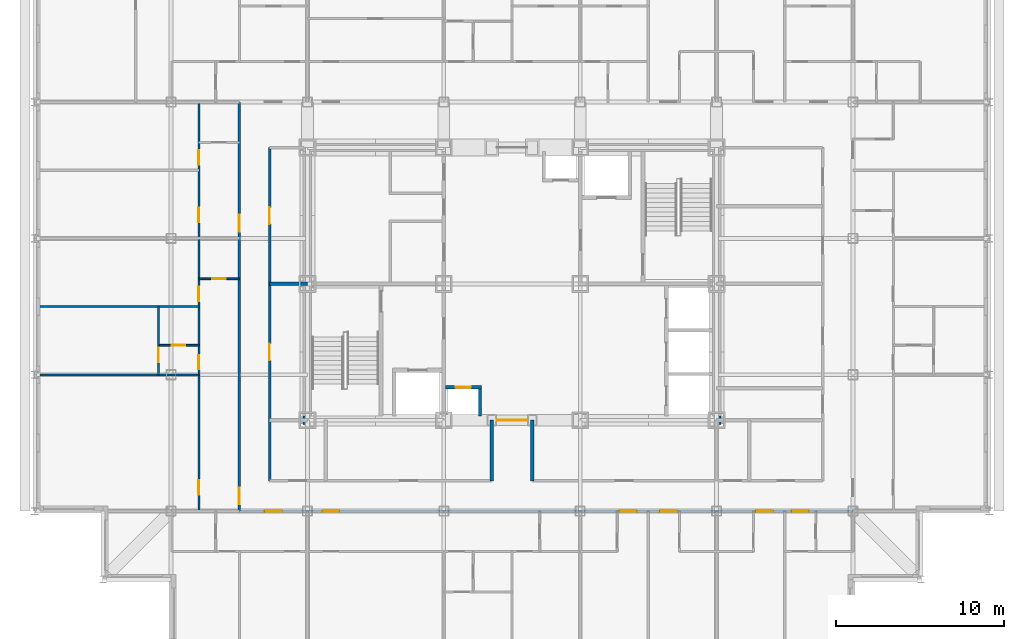
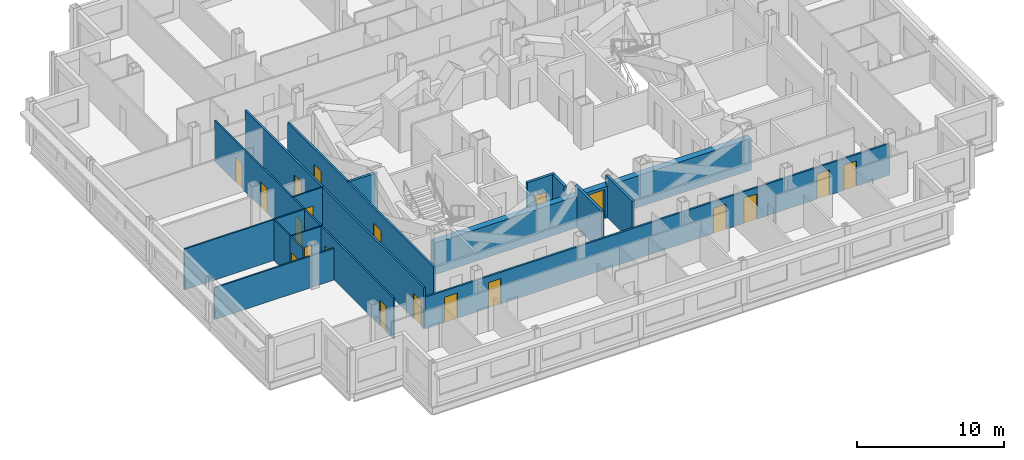
# One storey, part 5 of 12: 20 doors, 16 walls, 20 openings.
"""IFC4 building model written with IfcOpenShell, lengths in metres."""

from ifc_helpers import new_model, si_unit, direction, frame, frame_2d, origin, place, context, subcontext, project, spatial, rectangle, extrude, material, layer, layer_set, type_object, element, fill, save


model = new_model("IFC4")

# Units and contexts
model_context = context("Model", 3, precision=1e-05, world=origin(), true_north=direction((0.0, 1.0)))
body_context = subcontext(model_context, "Body", "Model", "MODEL_VIEW")
ifc_project = project(units=[si_unit("LENGTHUNIT", "METRE"), si_unit("AREAUNIT", "SQUARE_METRE"), si_unit("VOLUMEUNIT", "CUBIC_METRE"), si_unit("PLANEANGLEUNIT", "RADIAN"), si_unit("MASSUNIT", "GRAM", prefix="KILO")], contexts=[model_context])

# Site, building, storey
site_placement = place(None, origin())
site = spatial("IfcSite", under=ifc_project, at=site_placement, CompositionType="ELEMENT")
building_placement = place(site_placement, origin())
building = spatial("IfcBuilding", under=site, at=building_placement, Name="Kopane Lantern Tower", CompositionType="ELEMENT")
storey_placement = place(building_placement, frame((0.0, 0.0, 220.800048828125)))
storey = spatial("IfcBuildingStorey", under=building, at=storey_placement, Name="L57", CompositionType="ELEMENT", Elevation=220.800048828125)

# Wall, openings, doors
ifc_material_1 = material(Name="Gypsum board on steel studs", Category="steel")
ifc_layer_1 = layer(ifc_material_1, 0.1201171875)
ifc_layer_set_1 = layer_set([ifc_layer_1], Name="APARTMENT INTERNAL WALL 120")
wall_type_1 = type_object("IfcWallType", Name="APARTMENT INTERNAL WALL 120", PredefinedType="PARTITIONING", material=ifc_layer_set_1)
wall_1_placement = place(storey_placement, frame((9.75, 18.89990234375, 0.0), z_axis=(0.0, 0.0, 1.0), x_axis=(0.0, 1.0, 0.0)))
wall_1 = element("IfcWall", 1, at=wall_1_placement, inside=storey, type_object=wall_type_1, Name="Apartment Internal Wall 120 L57", PredefinedType="PARTITIONING", context=body_context, shape_type="SweptSolid", body=[
    extrude(rectangle(XDim=24.300048828125, YDim=0.1201171875, at=frame_2d((12.14990234375, 0.0))), origin(), (0.0, 0.0, 1.0), 3.389892578125),
])
opening_1_placement = place(wall_1_placement, frame((0.97509765625, 0.0, 0.0)))
opening_1 = element("IfcOpeningElement", 2, at=opening_1_placement, cuts=wall_1, Name="Opening L57-037", PredefinedType="OPENING", context=body_context, shape_type="SweptSolid", body=[
    extrude(rectangle(XDim=0.85009765625, YDim=2.10009765625, at=frame_2d((0.425048828125, 1.050048828125))), frame((0.0, 0.070068359375, 0.0), z_axis=(0.0, -1.0, 0.0), x_axis=(1.0, 0.0, 0.0)), (0.0, 0.0, 1.0), 0.14013671875),
])
opening_2_placement = place(wall_1_placement, frame((8.425048828125, 0.0, 0.0)))
opening_2 = element("IfcOpeningElement", 3, at=opening_2_placement, cuts=wall_1, Name="Opening L57-039", PredefinedType="OPENING", context=body_context, shape_type="SweptSolid", body=[
    extrude(rectangle(XDim=0.85009765625, YDim=2.10009765625, at=frame_2d((0.425048828125, 1.050048828125))), frame((0.0, 0.070068359375, 0.0), z_axis=(0.0, -1.0, 0.0), x_axis=(1.0, 0.0, 0.0)), (0.0, 0.0, 1.0), 0.14013671875),
])
opening_3_placement = place(wall_1_placement, frame((12.47509765625, 0.0, 0.0)))
opening_3 = element("IfcOpeningElement", 4, at=opening_3_placement, cuts=wall_1, Name="Opening L57-040", PredefinedType="OPENING", context=body_context, shape_type="SweptSolid", body=[
    extrude(rectangle(XDim=0.85009765625, YDim=2.10009765625, at=frame_2d((0.425048828125, 1.050048828125))), frame((0.0, 0.070068359375, 0.0), z_axis=(0.0, -1.0, 0.0), x_axis=(1.0, 0.0, 0.0)), (0.0, 0.0, 1.0), 0.14013671875),
])
opening_4_placement = place(wall_1_placement, frame((17.175048828125, 0.0, 0.0)))
opening_4 = element("IfcOpeningElement", 5, at=opening_4_placement, cuts=wall_1, Name="Opening L57-043", PredefinedType="OPENING", context=body_context, shape_type="SweptSolid", body=[
    extrude(rectangle(XDim=0.85009765625, YDim=2.10009765625, at=frame_2d((0.425048828125, 1.050048828125))), frame((0.0, 0.070068359375, 0.0), z_axis=(0.0, -1.0, 0.0), x_axis=(1.0, 0.0, 0.0)), (0.0, 0.0, 1.0), 0.14013671875),
])
opening_5_placement = place(wall_1_placement, frame((20.574951171875, 0.0, 0.0)))
opening_5 = element("IfcOpeningElement", 6, at=opening_5_placement, cuts=wall_1, Name="Opening L57-044", PredefinedType="OPENING", context=body_context, shape_type="SweptSolid", body=[
    extrude(rectangle(XDim=0.85009765625, YDim=2.10009765625, at=frame_2d((0.425048828125, 1.050048828125))), frame((0.0, 0.070068359375, 0.0), z_axis=(0.0, -1.0, 0.0), x_axis=(1.0, 0.0, 0.0)), (0.0, 0.0, 1.0), 0.14013671875),
])
ifc_material_2 = material(Name="Timber door set", Category="wood")
door_type_1 = type_object("IfcDoorType", Name="DOOR D4 850x2100", OperationType="SINGLE_SWING_LEFT", PredefinedType="DOOR", material=ifc_material_2)
door_1_placement = place(opening_1_placement, origin())
door_1 = element("IfcDoor", 7, at=door_1_placement, inside=storey, type_object=door_type_1, Name="Door L57-037", OperationType="SINGLE_SWING_RIGHT", OverallHeight=2.10009765625, OverallWidth=0.85009765625, PredefinedType="DOOR", context=body_context, shape_type="SweptSolid", body=[
    extrude(rectangle(XDim=0.85009765625, YDim=2.10009765625, at=frame_2d((0.425048828125, 1.050048828125))), frame((0.0, 0.02490234375, 0.0), z_axis=(0.0, -1.0, 0.0), x_axis=(1.0, 0.0, 0.0)), (0.0, 0.0, 1.0), 0.050048828125),
])
fill(opening_1, door_1)
door_2_placement = place(opening_2_placement, origin())
door_2 = element("IfcDoor", 8, at=door_2_placement, inside=storey, type_object=door_type_1, Name="Door L57-039", OperationType="SINGLE_SWING_LEFT", OverallHeight=2.10009765625, OverallWidth=0.85009765625, PredefinedType="DOOR", context=body_context, shape_type="SweptSolid", body=[
    extrude(rectangle(XDim=0.85009765625, YDim=2.10009765625, at=frame_2d((0.425048828125, 1.050048828125))), frame((0.0, 0.02490234375, 0.0), z_axis=(0.0, -1.0, 0.0), x_axis=(1.0, 0.0, 0.0)), (0.0, 0.0, 1.0), 0.050048828125),
])
fill(opening_2, door_2)
door_3_placement = place(opening_3_placement, origin())
door_3 = element("IfcDoor", 9, at=door_3_placement, inside=storey, type_object=door_type_1, Name="Door L57-040", OperationType="SINGLE_SWING_LEFT", OverallHeight=2.10009765625, OverallWidth=0.85009765625, PredefinedType="DOOR", context=body_context, shape_type="SweptSolid", body=[
    extrude(rectangle(XDim=0.85009765625, YDim=2.10009765625, at=frame_2d((0.425048828125, 1.050048828125))), frame((0.0, 0.02490234375, 0.0), z_axis=(0.0, -1.0, 0.0), x_axis=(1.0, 0.0, 0.0)), (0.0, 0.0, 1.0), 0.050048828125),
])
fill(opening_3, door_3)
door_4_placement = place(opening_4_placement, origin())
door_4 = element("IfcDoor", 10, at=door_4_placement, inside=storey, type_object=door_type_1, Name="Door L57-043", OperationType="SINGLE_SWING_RIGHT", OverallHeight=2.10009765625, OverallWidth=0.85009765625, PredefinedType="DOOR", context=body_context, shape_type="SweptSolid", body=[
    extrude(rectangle(XDim=0.85009765625, YDim=2.10009765625, at=frame_2d((0.425048828125, 1.050048828125))), frame((0.0, 0.02490234375, 0.0), z_axis=(0.0, -1.0, 0.0), x_axis=(1.0, 0.0, 0.0)), (0.0, 0.0, 1.0), 0.050048828125),
])
fill(opening_4, door_4)
door_5_placement = place(opening_5_placement, origin())
door_5 = element("IfcDoor", 11, at=door_5_placement, inside=storey, type_object=door_type_1, Name="Door L57-044", OperationType="SINGLE_SWING_LEFT", OverallHeight=2.10009765625, OverallWidth=0.85009765625, PredefinedType="DOOR", context=body_context, shape_type="SweptSolid", body=[
    extrude(rectangle(XDim=0.85009765625, YDim=2.10009765625, at=frame_2d((0.425048828125, 1.050048828125))), frame((0.0, 0.02490234375, 0.0), z_axis=(0.0, -1.0, 0.0), x_axis=(1.0, 0.0, 0.0)), (0.0, 0.0, 1.0), 0.050048828125),
])
fill(opening_5, door_5)

# Walls
wall_2_placement = place(storey_placement, frame((9.75, 27.0, 0.0), z_axis=(0.0, 0.0, 1.0), x_axis=(-1.0, 0.0, 0.0)))
element("IfcWall", 12, at=wall_2_placement, inside=storey, type_object=wall_type_1, Name="Apartment Internal Wall 120 L57", PredefinedType="PARTITIONING", context=body_context, shape_type="SweptSolid", body=[
    extrude(rectangle(XDim=9.449951171875, YDim=0.1201171875, at=frame_2d((4.72509765625, 0.0))), origin(), (0.0, 0.0, 1.0), 2.627685546875),
])
wall_3_placement = place(storey_placement, frame((9.75, 31.050048828125, 0.0), z_axis=(0.0, 0.0, 1.0), x_axis=(-1.0, 0.0, 0.0)))
element("IfcWall", 13, at=wall_3_placement, inside=storey, type_object=wall_type_1, Name="Apartment Internal Wall 120 L57", PredefinedType="PARTITIONING", context=body_context, shape_type="SweptSolid", body=[
    extrude(rectangle(XDim=9.449951171875, YDim=0.1201171875, at=frame_2d((4.72509765625, 0.0))), origin(), (0.0, 0.0, 1.0), 3.389892578125),
])

# Wall, opening, door
wall_4_placement = place(storey_placement, frame((7.35009765625, 27.0, 0.0), z_axis=(0.0, 0.0, 1.0), x_axis=(0.0, 1.0, 0.0)))
wall_4 = element("IfcWall", 14, at=wall_4_placement, inside=storey, type_object=wall_type_1, Name="Apartment Internal Wall 120 L57", PredefinedType="PARTITIONING", context=body_context, shape_type="SweptSolid", body=[
    extrude(rectangle(XDim=1.760009765625, YDim=0.1201171875, at=frame_2d((0.8798828125, 0.0))), origin(), (0.0, 0.0, 1.0), 3.389892578125),
])
opening_6_placement = place(wall_4_placement, frame((0.75, 0.0, 0.0)))
opening_6 = element("IfcOpeningElement", 15, at=opening_6_placement, cuts=wall_4, Name="Opening L57-071", PredefinedType="OPENING", context=body_context, shape_type="SweptSolid", body=[
    extrude(rectangle(XDim=0.85009765625, YDim=2.10009765625, at=frame_2d((0.425048828125, 1.050048828125))), frame((0.0, 0.070068359375, 0.0), z_axis=(0.0, -1.0, 0.0), x_axis=(1.0, 0.0, 0.0)), (0.0, 0.0, 1.0), 0.14013671875),
])
door_6_placement = place(opening_6_placement, origin())
door_6 = element("IfcDoor", 16, at=door_6_placement, inside=storey, type_object=door_type_1, Name="Door L57-071", OperationType="SINGLE_SWING_LEFT", OverallHeight=2.10009765625, OverallWidth=0.85009765625, PredefinedType="DOOR", context=body_context, shape_type="SweptSolid", body=[
    extrude(rectangle(XDim=0.85009765625, YDim=2.10009765625, at=frame_2d((0.425048828125, 1.050048828125))), frame((0.0, 0.02490234375, 0.0), z_axis=(0.0, -1.0, 0.0), x_axis=(1.0, 0.0, 0.0)), (0.0, 0.0, 1.0), 0.050048828125),
])
fill(opening_6, door_6)

ifc_material_3 = material(Name="Moisture-resistant board on steel studs", Category="steel")
ifc_layer_2 = layer(ifc_material_3, 0.10009765625)
ifc_layer_set_2 = layer_set([ifc_layer_2], Name="BATHROOM WALL 100")
wall_type_2 = type_object("IfcWallType", Name="BATHROOM WALL 100", PredefinedType="PARTITIONING", material=ifc_layer_set_2)
wall_5_placement = place(storey_placement, frame((12.14990234375, 32.699951171875, 0.0), z_axis=(0.0, 0.0, 1.0), x_axis=(-1.0, 0.0, 0.0)))
wall_5 = element("IfcWall", 17, at=wall_5_placement, inside=storey, type_object=wall_type_2, Name="Bathroom Wall 100 L57", PredefinedType="PARTITIONING", context=body_context, shape_type="SweptSolid", body=[
    extrude(rectangle(XDim=2.39990234375, YDim=0.10009765625, at=frame_2d((1.199951171875, 0.0))), origin(), (0.0, 0.0, 1.0), 3.389892578125),
])
opening_7_placement = place(wall_5_placement, frame((0.800048828125, 0.0, 0.0)))
opening_7 = element("IfcOpeningElement", 18, at=opening_7_placement, cuts=wall_5, Name="Opening L57-035", PredefinedType="OPENING", context=body_context, shape_type="SweptSolid", body=[
    extrude(rectangle(XDim=0.800048828125, YDim=2.10009765625, at=frame_2d((0.39990234375, 1.050048828125))), frame((0.0, 0.06005859375, 0.0), z_axis=(0.0, -1.0, 0.0), x_axis=(1.0, 0.0, 0.0)), (0.0, 0.0, 1.0), 0.1201171875),
])
ifc_material_4 = material(Name="Timber door set", Category="wood")
door_type_2 = type_object("IfcDoorType", Name="DOOR D2 800x2100", OperationType="SINGLE_SWING_LEFT", PredefinedType="DOOR", material=ifc_material_4)
door_7_placement = place(opening_7_placement, origin())
door_7 = element("IfcDoor", 19, at=door_7_placement, inside=storey, type_object=door_type_2, Name="Door L57-035", OperationType="SINGLE_SWING_RIGHT", OverallHeight=2.10009765625, OverallWidth=0.800048828125, PredefinedType="DOOR", context=body_context, shape_type="SweptSolid", body=[
    extrude(rectangle(XDim=0.800048828125, YDim=2.10009765625, at=frame_2d((0.39990234375, 1.050048828125))), frame((0.0, 0.02490234375, 0.0), z_axis=(0.0, -1.0, 0.0), x_axis=(1.0, 0.0, 0.0)), (0.0, 0.0, 1.0), 0.050048828125),
])
fill(opening_7, door_7)

wall_6_placement = place(storey_placement, frame((9.75, 28.75, 0.0), z_axis=(0.0, 0.0, 1.0), x_axis=(-1.0, 0.0, 0.0)))
wall_6 = element("IfcWall", 20, at=wall_6_placement, inside=storey, type_object=wall_type_2, Name="Bathroom Wall 100 L57", PredefinedType="PARTITIONING", context=body_context, shape_type="SweptSolid", body=[
    extrude(rectangle(XDim=2.39990234375, YDim=0.10009765625, at=frame_2d((1.199951171875, 0.0))), origin(), (0.0, 0.0, 1.0), 3.389892578125),
])
opening_8_placement = place(wall_6_placement, frame((0.800048828125, 0.0, 0.0)))
opening_8 = element("IfcOpeningElement", 21, at=opening_8_placement, cuts=wall_6, Name="Opening L57-038", PredefinedType="OPENING", context=body_context, shape_type="SweptSolid", body=[
    extrude(rectangle(XDim=0.800048828125, YDim=2.10009765625, at=frame_2d((0.39990234375, 1.050048828125))), frame((0.0, 0.06005859375, 0.0), z_axis=(0.0, -1.0, 0.0), x_axis=(1.0, 0.0, 0.0)), (0.0, 0.0, 1.0), 0.1201171875),
])
door_8_placement = place(opening_8_placement, origin())
door_8 = element("IfcDoor", 22, at=door_8_placement, inside=storey, type_object=door_type_2, Name="Door L57-038", OperationType="SINGLE_SWING_RIGHT", OverallHeight=2.10009765625, OverallWidth=0.800048828125, PredefinedType="DOOR", context=body_context, shape_type="SweptSolid", body=[
    extrude(rectangle(XDim=0.800048828125, YDim=2.10009765625, at=frame_2d((0.39990234375, 1.050048828125))), frame((0.0, 0.02490234375, 0.0), z_axis=(0.0, -1.0, 0.0), x_axis=(1.0, 0.0, 0.0)), (0.0, 0.0, 1.0), 0.050048828125),
])
fill(opening_8, door_8)

# Wall
wall_7_placement = place(storey_placement, frame((7.35009765625, 28.75, 0.0), z_axis=(0.0, 0.0, 1.0), x_axis=(0.0, 1.0, 0.0)))
element("IfcWall", 23, at=wall_7_placement, inside=storey, type_object=wall_type_2, Name="Bathroom Wall 100 L57", PredefinedType="PARTITIONING", context=body_context, shape_type="SweptSolid", body=[
    extrude(rectangle(XDim=2.300048828125, YDim=0.10009765625, at=frame_2d((1.14990234375, 0.0))), origin(), (0.0, 0.0, 1.0), 3.389892578125),
])

# Wall, opening, door
ifc_material_5 = material(Name="Gypsum shaft wall EI 120", Category="gypsum")
ifc_layer_3 = layer(ifc_material_5, 0.5)
ifc_layer_set_3 = layer_set([ifc_layer_3], Name="CORE PERIMETER WALL 500 EI 120")
wall_type_3 = type_object("IfcWallType", Name="CORE PERIMETER WALL 500 EI 120", PredefinedType="SOLIDWALL", material=ifc_layer_set_3)
wall_8_placement = place(storey_placement, frame((15.949951171875, 24.300048828125, 0.0), z_axis=(0.0, 0.0, 1.0), x_axis=(1.0, 0.0, 0.0)))
wall_8 = element("IfcWall", 24, at=wall_8_placement, inside=storey, type_object=wall_type_3, Name="Core shaft wall L57 PS", PredefinedType="SOLIDWALL", context=body_context, shape_type="SweptSolid", body=[
    extrude(rectangle(XDim=24.800048828125, YDim=0.5, at=frame_2d((12.39990234375, 0.0))), origin(), (0.0, 0.0, 1.0), 2.627685546875),
])
opening_9_placement = place(wall_8_placement, frame((11.5, 0.0, 0.0)))
opening_9 = element("IfcOpeningElement", 25, at=opening_9_placement, cuts=wall_8, Name="Opening 57.CE-S", PredefinedType="OPENING", context=body_context, shape_type="SweptSolid", body=[
    extrude(rectangle(XDim=1.800048828125, YDim=2.39990234375, at=frame_2d((0.89990234375, 1.199951171875))), frame((0.0, 0.260009765625, 0.0), z_axis=(0.0, -1.0, 0.0), x_axis=(1.0, 0.0, 0.0)), (0.0, 0.0, 1.0), 0.52001953125),
])
ifc_material_6 = material(Name="Steel door set", Category="steel")
door_type_3 = type_object("IfcDoorType", Name="CORE ENTRY DOOR 1800x2400 FD60S", OperationType="DOUBLE_DOOR_SINGLE_SWING", PredefinedType="DOOR", material=ifc_material_6)
door_9_placement = place(opening_9_placement, origin())
door_9 = element("IfcDoor", 26, at=door_9_placement, inside=storey, type_object=door_type_3, Name="Core entry door L57 south", OperationType="DOUBLE_DOOR_SINGLE_SWING", OverallHeight=2.39990234375, OverallWidth=1.800048828125, PredefinedType="DOOR", context=body_context, shape_type="SweptSolid", body=[
    extrude(rectangle(XDim=1.800048828125, YDim=2.39990234375, at=frame_2d((0.89990234375, 1.199951171875))), frame((0.0, 0.02490234375, 0.0), z_axis=(0.0, -1.0, 0.0), x_axis=(1.0, 0.0, 0.0)), (0.0, 0.0, 1.0), 0.050048828125),
])
fill(opening_9, door_9)

# Wall, openings, doors
ifc_material_7 = material(Name="Gypsum board on steel studs", Category="steel")
ifc_layer_4 = layer(ifc_material_7, 0.14990234375)
ifc_layer_set_4 = layer_set([ifc_layer_4], Name="CORRIDOR WALL 150 EI 60")
wall_type_4 = type_object("IfcWallType", Name="CORRIDOR WALL 150 EI 60", PredefinedType="PARTITIONING", material=ifc_layer_set_4)
wall_9_placement = place(storey_placement, frame((12.14990234375, 18.89990234375, 0.0), z_axis=(0.0, 0.0, 1.0), x_axis=(1.0, 0.0, 0.0)))
wall_9 = element("IfcWall", 27, at=wall_9_placement, inside=storey, type_object=wall_type_4, Name="Corridor Wall 150 Ei 60 L57", PredefinedType="PARTITIONING", context=body_context, shape_type="SweptSolid", body=[
    extrude(rectangle(XDim=36.4501953125, YDim=0.14990234375, at=frame_2d((18.22509765625, 0.0))), origin(), (0.0, 0.0, 1.0), 2.627685546875),
])
opening_10_placement = place(wall_9_placement, frame((4.949951171875, 0.0, 0.0)))
opening_10 = element("IfcOpeningElement", 28, at=opening_10_placement, cuts=wall_9, Name="Opening L57-013", PredefinedType="OPENING", context=body_context, shape_type="SweptSolid", body=[
    extrude(rectangle(XDim=1.0, YDim=2.10009765625, at=frame_2d((0.5, 1.050048828125))), frame((0.0, 0.0849609375, 0.0), z_axis=(0.0, -1.0, 0.0), x_axis=(1.0, 0.0, 0.0)), (0.0, 0.0, 1.0), 0.169921875),
])
opening_11_placement = place(wall_9_placement, frame((22.60009765625, 0.0, 0.0)))
opening_11 = element("IfcOpeningElement", 29, at=opening_11_placement, cuts=wall_9, Name="Opening L57-019", PredefinedType="OPENING", context=body_context, shape_type="SweptSolid", body=[
    extrude(rectangle(XDim=1.0, YDim=2.10009765625, at=frame_2d((0.5, 1.050048828125))), frame((0.0, 0.0849609375, 0.0), z_axis=(0.0, -1.0, 0.0), x_axis=(1.0, 0.0, 0.0)), (0.0, 0.0, 1.0), 0.169921875),
])
opening_12_placement = place(wall_9_placement, frame((25.0, 0.0, 0.0)))
opening_12 = element("IfcOpeningElement", 30, at=opening_12_placement, cuts=wall_9, Name="Opening L57-021", PredefinedType="OPENING", context=body_context, shape_type="SweptSolid", body=[
    extrude(rectangle(XDim=1.0, YDim=2.10009765625, at=frame_2d((0.5, 1.050048828125))), frame((0.0, 0.0849609375, 0.0), z_axis=(0.0, -1.0, 0.0), x_axis=(1.0, 0.0, 0.0)), (0.0, 0.0, 1.0), 0.169921875),
])
opening_13_placement = place(wall_9_placement, frame((30.699951171875, 0.0, 0.0)))
opening_13 = element("IfcOpeningElement", 31, at=opening_13_placement, cuts=wall_9, Name="Opening L57-023", PredefinedType="OPENING", context=body_context, shape_type="SweptSolid", body=[
    extrude(rectangle(XDim=1.0, YDim=2.10009765625, at=frame_2d((0.5, 1.050048828125))), frame((0.0, 0.0849609375, 0.0), z_axis=(0.0, -1.0, 0.0), x_axis=(1.0, 0.0, 0.0)), (0.0, 0.0, 1.0), 0.169921875),
])
opening_14_placement = place(wall_9_placement, frame((1.52490234375, 0.0, 0.0)))
opening_14 = element("IfcOpeningElement", 32, at=opening_14_placement, cuts=wall_9, Name="Opening L57-054", PredefinedType="OPENING", context=body_context, shape_type="SweptSolid", body=[
    extrude(rectangle(XDim=1.0, YDim=2.10009765625, at=frame_2d((0.5, 1.050048828125))), frame((0.0, 0.0849609375, 0.0), z_axis=(0.0, -1.0, 0.0), x_axis=(1.0, 0.0, 0.0)), (0.0, 0.0, 1.0), 0.169921875),
])
opening_15_placement = place(wall_9_placement, frame((32.824951171875, 0.0, 0.0)))
opening_15 = element("IfcOpeningElement", 33, at=opening_15_placement, cuts=wall_9, Name="Opening L57-059", PredefinedType="OPENING", context=body_context, shape_type="SweptSolid", body=[
    extrude(rectangle(XDim=1.0, YDim=2.10009765625, at=frame_2d((0.5, 1.050048828125))), frame((0.0, 0.0849609375, 0.0), z_axis=(0.0, -1.0, 0.0), x_axis=(1.0, 0.0, 0.0)), (0.0, 0.0, 1.0), 0.169921875),
])
ifc_material_8 = material(Name="Steel door set", Category="steel")
door_type_4 = type_object("IfcDoorType", Name="DOOR D3 1000x2100 FD30S", OperationType="SINGLE_SWING_LEFT", PredefinedType="DOOR", material=ifc_material_8)
door_10_placement = place(opening_10_placement, origin())
door_10 = element("IfcDoor", 34, at=door_10_placement, inside=storey, type_object=door_type_4, Name="Door L57-013", OperationType="SINGLE_SWING_RIGHT", OverallHeight=2.10009765625, OverallWidth=1.0, PredefinedType="DOOR", context=body_context, shape_type="SweptSolid", body=[
    extrude(rectangle(XDim=1.0, YDim=2.10009765625, at=frame_2d((0.5, 1.050048828125))), frame((0.0, 0.02490234375, 0.0), z_axis=(0.0, -1.0, 0.0), x_axis=(1.0, 0.0, 0.0)), (0.0, 0.0, 1.0), 0.050048828125),
])
fill(opening_10, door_10)
door_11_placement = place(opening_11_placement, origin())
door_11 = element("IfcDoor", 35, at=door_11_placement, inside=storey, type_object=door_type_4, Name="Door L57-019", OperationType="SINGLE_SWING_RIGHT", OverallHeight=2.10009765625, OverallWidth=1.0, PredefinedType="DOOR", context=body_context, shape_type="SweptSolid", body=[
    extrude(rectangle(XDim=1.0, YDim=2.10009765625, at=frame_2d((0.5, 1.050048828125))), frame((0.0, 0.02490234375, 0.0), z_axis=(0.0, -1.0, 0.0), x_axis=(1.0, 0.0, 0.0)), (0.0, 0.0, 1.0), 0.050048828125),
])
fill(opening_11, door_11)
door_12_placement = place(opening_12_placement, origin())
door_12 = element("IfcDoor", 36, at=door_12_placement, inside=storey, type_object=door_type_4, Name="Door L57-021", OperationType="SINGLE_SWING_LEFT", OverallHeight=2.10009765625, OverallWidth=1.0, PredefinedType="DOOR", context=body_context, shape_type="SweptSolid", body=[
    extrude(rectangle(XDim=1.0, YDim=2.10009765625, at=frame_2d((0.5, 1.050048828125))), frame((0.0, 0.02490234375, 0.0), z_axis=(0.0, -1.0, 0.0), x_axis=(1.0, 0.0, 0.0)), (0.0, 0.0, 1.0), 0.050048828125),
])
fill(opening_12, door_12)
door_13_placement = place(opening_13_placement, origin())
door_13 = element("IfcDoor", 37, at=door_13_placement, inside=storey, type_object=door_type_4, Name="Door L57-023", OperationType="SINGLE_SWING_RIGHT", OverallHeight=2.10009765625, OverallWidth=1.0, PredefinedType="DOOR", context=body_context, shape_type="SweptSolid", body=[
    extrude(rectangle(XDim=1.0, YDim=2.10009765625, at=frame_2d((0.5, 1.050048828125))), frame((0.0, 0.02490234375, 0.0), z_axis=(0.0, -1.0, 0.0), x_axis=(1.0, 0.0, 0.0)), (0.0, 0.0, 1.0), 0.050048828125),
])
fill(opening_13, door_13)
door_14_placement = place(opening_14_placement, origin())
door_14 = element("IfcDoor", 38, at=door_14_placement, inside=storey, type_object=door_type_4, Name="Door L57-054", OperationType="SINGLE_SWING_LEFT", OverallHeight=2.10009765625, OverallWidth=1.0, PredefinedType="DOOR", context=body_context, shape_type="SweptSolid", body=[
    extrude(rectangle(XDim=1.0, YDim=2.10009765625, at=frame_2d((0.5, 1.050048828125))), frame((0.0, 0.02490234375, 0.0), z_axis=(0.0, -1.0, 0.0), x_axis=(1.0, 0.0, 0.0)), (0.0, 0.0, 1.0), 0.050048828125),
])
fill(opening_14, door_14)
door_15_placement = place(opening_15_placement, origin())
door_15 = element("IfcDoor", 39, at=door_15_placement, inside=storey, type_object=door_type_4, Name="Door L57-059", OperationType="SINGLE_SWING_LEFT", OverallHeight=2.10009765625, OverallWidth=1.0, PredefinedType="DOOR", context=body_context, shape_type="SweptSolid", body=[
    extrude(rectangle(XDim=1.0, YDim=2.10009765625, at=frame_2d((0.5, 1.050048828125))), frame((0.0, 0.02490234375, 0.0), z_axis=(0.0, -1.0, 0.0), x_axis=(1.0, 0.0, 0.0)), (0.0, 0.0, 1.0), 0.050048828125),
])
fill(opening_15, door_15)

wall_10_placement = place(storey_placement, frame((12.14990234375, 18.89990234375, 0.0), z_axis=(0.0, 0.0, 1.0), x_axis=(0.0, 1.0, 0.0)))
wall_10 = element("IfcWall", 40, at=wall_10_placement, inside=storey, type_object=wall_type_4, Name="Corridor Wall 150 Ei 60 L57", PredefinedType="PARTITIONING", context=body_context, shape_type="SweptSolid", body=[
    extrude(rectangle(XDim=24.300048828125, YDim=0.14990234375, at=frame_2d((12.14990234375, 0.0))), origin(), (0.0, 0.0, 1.0), 3.389892578125),
])
opening_16_placement = place(wall_10_placement, frame((0.39990234375, 0.0, 0.0)))
opening_16 = element("IfcOpeningElement", 41, at=opening_16_placement, cuts=wall_10, Name="Opening L57-036", PredefinedType="OPENING", context=body_context, shape_type="SweptSolid", body=[
    extrude(rectangle(XDim=1.0, YDim=2.10009765625, at=frame_2d((0.5, 1.050048828125))), frame((0.0, 0.0849609375, 0.0), z_axis=(0.0, -1.0, 0.0), x_axis=(1.0, 0.0, 0.0)), (0.0, 0.0, 1.0), 0.169921875),
])
opening_17_placement = place(wall_10_placement, frame((16.60009765625, 0.0, 0.0)))
opening_17 = element("IfcOpeningElement", 42, at=opening_17_placement, cuts=wall_10, Name="Opening L57-042", PredefinedType="OPENING", context=body_context, shape_type="SweptSolid", body=[
    extrude(rectangle(XDim=1.0, YDim=2.10009765625, at=frame_2d((0.5, 1.050048828125))), frame((0.0, 0.0849609375, 0.0), z_axis=(0.0, -1.0, 0.0), x_axis=(1.0, 0.0, 0.0)), (0.0, 0.0, 1.0), 0.169921875),
])
door_16_placement = place(opening_16_placement, origin())
door_16 = element("IfcDoor", 43, at=door_16_placement, inside=storey, type_object=door_type_4, Name="Door L57-036", OperationType="SINGLE_SWING_LEFT", OverallHeight=2.10009765625, OverallWidth=1.0, PredefinedType="DOOR", context=body_context, shape_type="SweptSolid", body=[
    extrude(rectangle(XDim=1.0, YDim=2.10009765625, at=frame_2d((0.5, 1.050048828125))), frame((0.0, 0.02490234375, 0.0), z_axis=(0.0, -1.0, 0.0), x_axis=(1.0, 0.0, 0.0)), (0.0, 0.0, 1.0), 0.050048828125),
])
fill(opening_16, door_16)
door_17_placement = place(opening_17_placement, origin())
door_17 = element("IfcDoor", 44, at=door_17_placement, inside=storey, type_object=door_type_4, Name="Door L57-042", OperationType="SINGLE_SWING_LEFT", OverallHeight=2.10009765625, OverallWidth=1.0, PredefinedType="DOOR", context=body_context, shape_type="SweptSolid", body=[
    extrude(rectangle(XDim=1.0, YDim=2.10009765625, at=frame_2d((0.5, 1.050048828125))), frame((0.0, 0.02490234375, 0.0), z_axis=(0.0, -1.0, 0.0), x_axis=(1.0, 0.0, 0.0)), (0.0, 0.0, 1.0), 0.050048828125),
])
fill(opening_17, door_17)

wall_11_placement = place(storey_placement, frame((13.949951171875, 40.5, 0.0), z_axis=(0.0, 0.0, 1.0), x_axis=(0.0, -1.0, 0.0)))
wall_11 = element("IfcWall", 45, at=wall_11_placement, inside=storey, type_object=wall_type_4, Name="Corridor Wall 150 Ei 60 L57", PredefinedType="PARTITIONING", context=body_context, shape_type="SweptSolid", body=[
    extrude(rectangle(XDim=19.800048828125, YDim=0.14990234375, at=frame_2d((9.89990234375, 0.0))), origin(), (0.0, 0.0, 1.0), 3.389892578125),
])
opening_18_placement = place(wall_11_placement, frame((11.64990234375, 0.0, 0.0)))
opening_18 = element("IfcOpeningElement", 46, at=opening_18_placement, cuts=wall_11, Name="Opening L57-001", PredefinedType="OPENING", context=body_context, shape_type="SweptSolid", body=[
    extrude(rectangle(XDim=1.0, YDim=2.10009765625, at=frame_2d((0.5, 1.050048828125))), frame((0.0, 0.0849609375, 0.0), z_axis=(0.0, -1.0, 0.0), x_axis=(1.0, 0.0, 0.0)), (0.0, 0.0, 1.0), 0.169921875),
])
opening_19_placement = place(wall_11_placement, frame((3.550048828125, 0.0, 0.0)))
opening_19 = element("IfcOpeningElement", 47, at=opening_19_placement, cuts=wall_11, Name="Opening L57-002", PredefinedType="OPENING", context=body_context, shape_type="SweptSolid", body=[
    extrude(rectangle(XDim=1.0, YDim=2.10009765625, at=frame_2d((0.5, 1.050048828125))), frame((0.0, 0.0849609375, 0.0), z_axis=(0.0, -1.0, 0.0), x_axis=(1.0, 0.0, 0.0)), (0.0, 0.0, 1.0), 0.169921875),
])
ifc_material_9 = material(Name="Steel door set", Category="steel")
door_type_5 = type_object("IfcDoorType", Name="DOOR D5 1000x2100 FD60", OperationType="SINGLE_SWING_LEFT", PredefinedType="DOOR", material=ifc_material_9)
door_18_placement = place(opening_18_placement, origin())
door_18 = element("IfcDoor", 48, at=door_18_placement, inside=storey, type_object=door_type_5, Name="Door L57-001", OperationType="SINGLE_SWING_RIGHT", OverallHeight=2.10009765625, OverallWidth=1.0, PredefinedType="DOOR", context=body_context, shape_type="SweptSolid", body=[
    extrude(rectangle(XDim=1.0, YDim=2.10009765625, at=frame_2d((0.5, 1.050048828125))), frame((0.0, 0.02490234375, 0.0), z_axis=(0.0, -1.0, 0.0), x_axis=(1.0, 0.0, 0.0)), (0.0, 0.0, 1.0), 0.050048828125),
])
fill(opening_18, door_18)
door_19_placement = place(opening_19_placement, origin())
door_19 = element("IfcDoor", 49, at=door_19_placement, inside=storey, type_object=door_type_5, Name="Door L57-002", OperationType="SINGLE_SWING_LEFT", OverallHeight=2.10009765625, OverallWidth=1.0, PredefinedType="DOOR", context=body_context, shape_type="SweptSolid", body=[
    extrude(rectangle(XDim=1.0, YDim=2.10009765625, at=frame_2d((0.5, 1.050048828125))), frame((0.0, 0.02490234375, 0.0), z_axis=(0.0, -1.0, 0.0), x_axis=(1.0, 0.0, 0.0)), (0.0, 0.0, 1.0), 0.050048828125),
])
fill(opening_19, door_19)

# Walls
ifc_material_10 = material(Name="Concrete masonry", Category="masonry")
ifc_layer_5 = layer(ifc_material_10, 0.199951171875)
ifc_layer_set_5 = layer_set([ifc_layer_5], Name="PLANT ROOM WALL 200 EI 120")
wall_type_5 = type_object("IfcWallType", Name="PLANT ROOM WALL 200 EI 120", PredefinedType="SOLIDWALL", material=ifc_layer_set_5)
wall_12_placement = place(storey_placement, frame((13.949951171875, 32.39990234375, 0.0), z_axis=(0.0, 0.0, 1.0), x_axis=(1.0, 0.0, 0.0)))
element("IfcWall", 50, at=wall_12_placement, inside=storey, type_object=wall_type_5, Name="Plant Room Wall 200 Ei 120 L57", PredefinedType="SOLIDWALL", context=body_context, shape_type="SweptSolid", body=[
    extrude(rectangle(XDim=2.25, YDim=0.199951171875, at=frame_2d((1.125, 0.0))), origin(), (0.0, 0.0, 1.0), 3.389892578125),
])
for number, where, z_axis, x_axis, name in (
    (51, (27.14990234375, 20.699951171875, 0.0), (0.0, 0.0, 1.0), (0.0, 1.0, 0.0), "Plant Room Wall 200 Ei 120 L57"),
    (52, (29.550048828125, 20.699951171875, 0.0), (0.0, 0.0, 1.0), (0.0, 1.0, 0.0), "Plant Room Wall 200 Ei 120 L57"),
):
    element("IfcWall", number, at=place(storey_placement, frame(where, z_axis=z_axis, x_axis=x_axis)), inside=storey, type_object=wall_type_5, Name=name, PredefinedType="SOLIDWALL", context=body_context, shape_type="SweptSolid", body=[
        extrude(rectangle(XDim=3.60009765625, YDim=0.199951171875, at=frame_2d((1.800048828125, 0.0))), origin(), (0.0, 0.0, 1.0), 3.389892578125),
    ])
ifc_material_11 = material(Name="Gypsum shaft wall EI 120", Category="gypsum")
ifc_layer_6 = layer(ifc_material_11, 0.199951171875)
ifc_layer_set_6 = layer_set([ifc_layer_6], Name="SHAFT WALL 200 EI 120")
wall_type_6 = type_object("IfcWallType", Name="SHAFT WALL 200 EI 120", PredefinedType="SOLIDWALL", material=ifc_layer_set_6)
wall_13_placement = place(storey_placement, frame((26.449951171875, 24.550048828125, 0.0), z_axis=(0.0, 0.0, 1.0), x_axis=(0.0, 1.0, 0.0)))
element("IfcWall", 53, at=wall_13_placement, inside=storey, type_object=wall_type_6, Name="Core shaft wall L57 XRS1", PredefinedType="SOLIDWALL", context=body_context, shape_type="SweptSolid", body=[
    extrude(rectangle(XDim=1.599853515625, YDim=0.199951171875, at=frame_2d((0.7998046875, 0.0))), origin(), (0.0, 0.0, 1.0), 3.389892578125),
])

# Wall, opening, door
wall_14_placement = place(storey_placement, frame((24.39990234375, 26.25, 0.0), z_axis=(0.0, 0.0, 1.0), x_axis=(1.0, 0.0, 0.0)))
wall_14 = element("IfcWall", 54, at=wall_14_placement, inside=storey, type_object=wall_type_6, Name="Core shaft wall L57 YRS1", PredefinedType="SOLIDWALL", context=body_context, shape_type="SweptSolid", body=[
    extrude(rectangle(XDim=2.150146484375, YDim=0.199951171875, at=frame_2d((1.0751953125, 0.0))), origin(), (0.0, 0.0, 1.0), 3.389892578125),
])
opening_20_placement = place(wall_14_placement, frame((0.60009765625, 0.0, 0.0)))
opening_20 = element("IfcOpeningElement", 55, at=opening_20_placement, cuts=wall_14, Name="Opening 57.RS1", PredefinedType="OPENING", context=body_context, shape_type="SweptSolid", body=[
    extrude(rectangle(XDim=0.89990234375, YDim=2.10009765625, at=frame_2d((0.449951171875, 1.050048828125))), frame((0.0, 0.10986328125, 0.0), z_axis=(0.0, -1.0, 0.0), x_axis=(1.0, 0.0, 0.0)), (0.0, 0.0, 1.0), 0.219970703125),
])
ifc_material_12 = material(Name="Steel door set", Category="steel")
door_type_6 = type_object("IfcDoorType", Name="RISER ACCESS DOOR 900x2100 FD60", OperationType="SINGLE_SWING_LEFT", PredefinedType="DOOR", material=ifc_material_12)
door_20_placement = place(opening_20_placement, origin())
door_20 = element("IfcDoor", 56, at=door_20_placement, inside=storey, type_object=door_type_6, Name="Riser access door RS1 L57", OperationType="SINGLE_SWING_LEFT", OverallHeight=2.10009765625, OverallWidth=0.89990234375, PredefinedType="DOOR", context=body_context, shape_type="SweptSolid", body=[
    extrude(rectangle(XDim=0.89990234375, YDim=2.10009765625, at=frame_2d((0.449951171875, 1.050048828125))), frame((0.0, 0.02490234375, 0.0), z_axis=(0.0, -1.0, 0.0), x_axis=(1.0, 0.0, 0.0)), (0.0, 0.0, 1.0), 0.050048828125),
])
fill(opening_20, door_20)

save(model, "model.ifc")
